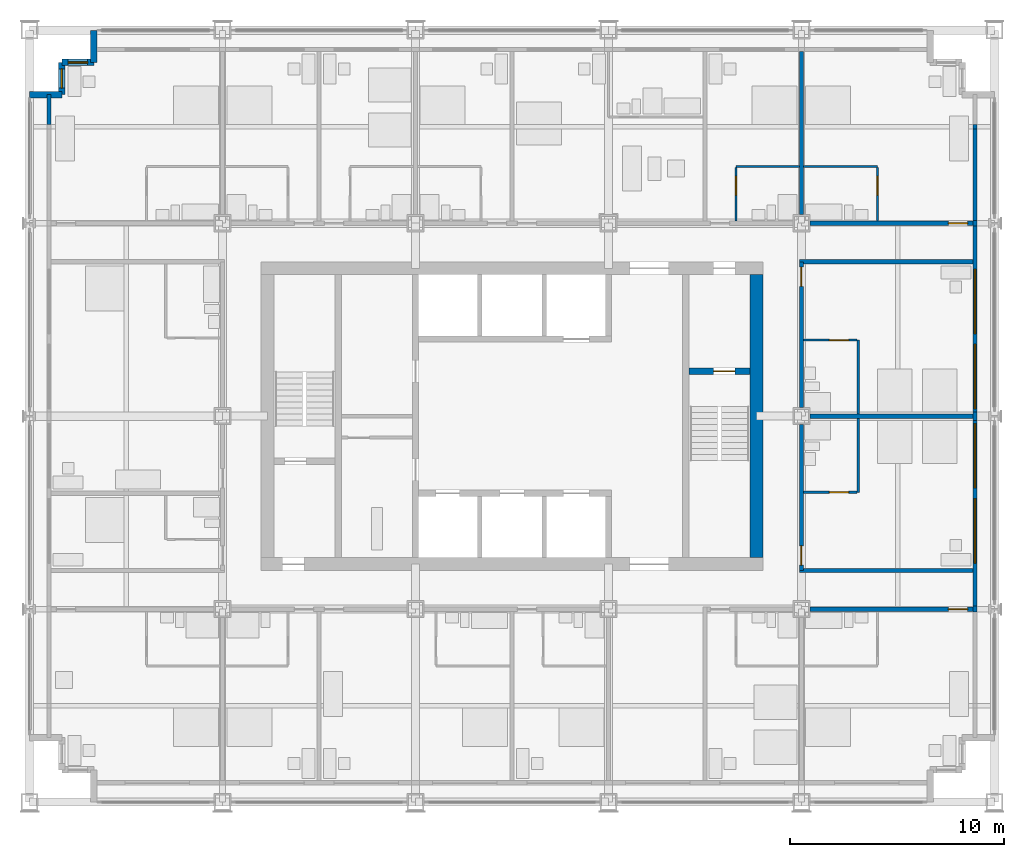
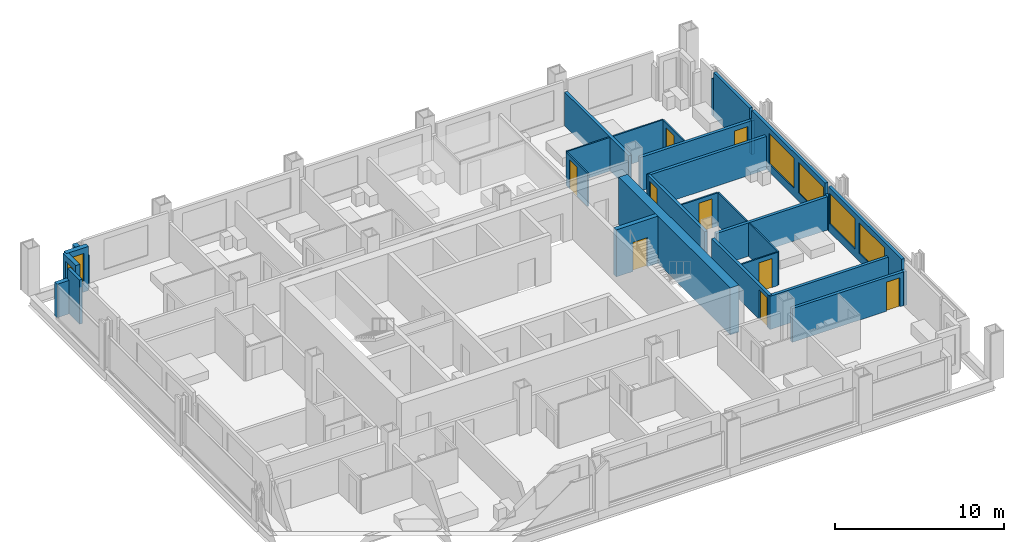
# One storey, part 12 of 16: 30 walls, 9 doors, 6 windows, 15 openings.
"""IFC4 building model written with IfcOpenShell, lengths in metres."""

from ifc_helpers import new_model, si_unit, direction, frame, frame_2d, origin, place, context, subcontext, project, spatial, rectangle, extrude, material, layer, layer_set, type_object, element, fill, save


model = new_model("IFC4")

# Units and contexts
model_context = context("Model", 3, precision=1e-05, world=origin(), true_north=direction((0.0, 1.0)))
body_context = subcontext(model_context, "Body", "Model", "MODEL_VIEW")
ifc_project = project(units=[si_unit("LENGTHUNIT", "METRE"), si_unit("AREAUNIT", "SQUARE_METRE"), si_unit("VOLUMEUNIT", "CUBIC_METRE"), si_unit("PLANEANGLEUNIT", "RADIAN"), si_unit("MASSUNIT", "GRAM", prefix="KILO")], contexts=[model_context])

# Site, building, storey
site_placement = place(None, origin())
site = spatial("IfcSite", under=ifc_project, at=site_placement, CompositionType="ELEMENT")
building_placement = place(site_placement, origin())
building = spatial("IfcBuilding", under=site, at=building_placement, Name="Loomwork Tower", CompositionType="ELEMENT")
storey_placement = place(building_placement, frame((0.0, 0.0, 101.0)))
storey = spatial("IfcBuildingStorey", under=building, at=storey_placement, Name="L26", CompositionType="ELEMENT", Elevation=101.0)

# Wall, opening, door
ifc_material_1 = material(Name="Concrete 14000 psi (97 MPa)", Category="concrete")
ifc_layer_1 = layer(ifc_material_1, 0.300048828125)
ifc_layer_set_1 = layer_set([ifc_layer_1], Name="Core shear wall 300")
wall_type_1 = type_object("IfcWallType", Name="Core shear wall 300", PredefinedType="SHEAR", material=ifc_layer_set_1)
wall_1_placement = place(storey_placement, frame((30.75, 20.10009765625, 0.0), z_axis=(0.0, 0.0, 1.0), x_axis=(1.0, 0.0, 0.0)))
wall_1 = element("IfcWall", 1, at=wall_1_placement, inside=storey, type_object=wall_type_1, Name="Stair B north wall L26", PredefinedType="SHEAR", context=body_context, shape_type="SweptSolid", body=[
    extrude(rectangle(XDim=2.85009765625, YDim=0.300048828125, at=frame_2d((1.425048828125, 0.0))), origin(), (0.0, 0.0, 1.0), 3.39990234375),
])
opening_1_placement = place(wall_1_placement, frame((1.14990234375, 0.0, 0.0)))
opening_1 = element("IfcOpeningElement", 2, at=opening_1_placement, cuts=wall_1, Name="Opening D4", PredefinedType="OPENING", context=body_context, shape_type="SweptSolid", body=[
    extrude(rectangle(XDim=1.0, YDim=2.10009765625, at=frame_2d((0.5, 1.050048828125))), frame((0.0, 0.159912109375, 0.0), z_axis=(0.0, -1.0, 0.0), x_axis=(1.0, 0.0, 0.0)), (0.0, 0.0, 1.0), 0.320068359375),
])
ifc_material_2 = material(Name="Hollow metal door and frame")
door_type_1 = type_object("IfcDoorType", Name="Stair door 1000", OperationType="SINGLE_SWING_RIGHT", PredefinedType="DOOR", material=ifc_material_2)
door_1_placement = place(opening_1_placement, frame((1.0, 0.0, 0.0), z_axis=(0.0, 0.0, 1.0), x_axis=(-1.0, 0.0, 0.0)))
door_1 = element("IfcDoor", 3, at=door_1_placement, inside=storey, type_object=door_type_1, Name="Stair B door", OperationType="SINGLE_SWING_LEFT", OverallHeight=2.10009765625, OverallWidth=1.0, PredefinedType="DOOR", context=body_context, shape_type="SweptSolid", body=[
    extrude(rectangle(XDim=1.0, YDim=2.10009765625, at=frame_2d((0.5, 1.050048828125))), frame((0.0, 0.02490234375, 0.0), z_axis=(0.0, -1.0, 0.0), x_axis=(1.0, 0.0, 0.0)), (0.0, 0.0, 1.0), 0.050048828125),
])
fill(opening_1, door_1)

# Wall
ifc_material_3 = material(Name="Concrete 14000 psi (97 MPa)", Category="concrete")
ifc_layer_2 = layer(ifc_material_3, 0.60009765625)
ifc_layer_set_2 = layer_set([ifc_layer_2], Name="Core shear wall 600")
wall_type_2 = type_object("IfcWallType", Name="Core shear wall 600", PredefinedType="SHEAR", material=ifc_layer_set_2)
wall_2_placement = place(storey_placement, frame((33.89990234375, 11.39990234375, 0.0), z_axis=(0.0, 0.0, 1.0), x_axis=(0.0, 1.0, 0.0)))
element("IfcWall", 4, at=wall_2_placement, inside=storey, type_object=wall_type_2, Name="Core wall east L26", PredefinedType="SHEAR", context=body_context, shape_type="SweptSolid", body=[
    extrude(rectangle(XDim=13.2001953125, YDim=0.60009765625, at=frame_2d((6.60009765625, 0.0))), origin(), (0.0, 0.0, 1.0), 3.39990234375),
])

# Wall, opening, door
ifc_material_4 = material(Name="Gypsum board on steel studs, one-hour", Category="steel")
ifc_layer_3 = layer(ifc_material_4, 0.199951171875)
ifc_layer_set_3 = layer_set([ifc_layer_3], Name="Corridor wall 200")
wall_type_3 = type_object("IfcWallType", Name="Corridor wall 200", PredefinedType="PARTITIONING", material=ifc_layer_set_3)
wall_3_placement = place(storey_placement, frame((36.39990234375, 9.0, 0.0), z_axis=(0.0, 0.0, 1.0), x_axis=(1.0, 0.0, 0.0)))
wall_3 = element("IfcWall", 5, at=wall_3_placement, inside=storey, type_object=wall_type_3, Name="South corridor wall 5", PredefinedType="PARTITIONING", context=body_context, shape_type="SweptSolid", body=[
    extrude(rectangle(XDim=7.60009765625, YDim=0.199951171875, at=frame_2d((3.800048828125, 0.0))), origin(), (0.0, 0.0, 1.0), 2.43798828125),
])
opening_2_placement = place(wall_3_placement, frame((6.449951171875, 0.0, 0.0)))
opening_2 = element("IfcOpeningElement", 6, at=opening_2_placement, cuts=wall_3, Name="Opening D1", PredefinedType="OPENING", context=body_context, shape_type="SweptSolid", body=[
    extrude(rectangle(XDim=0.89990234375, YDim=2.10009765625, at=frame_2d((0.449951171875, 1.050048828125))), frame((0.0, 0.10986328125, 0.0), z_axis=(0.0, -1.0, 0.0), x_axis=(1.0, 0.0, 0.0)), (0.0, 0.0, 1.0), 0.219970703125),
])
ifc_material_5 = material(Name="Hollow metal door and frame")
door_type_2 = type_object("IfcDoorType", Name="Guest room entry door 900", OperationType="SINGLE_SWING_LEFT", PredefinedType="DOOR", material=ifc_material_5)
door_2_placement = place(opening_2_placement, frame((0.89990234375, 0.0, 0.0), z_axis=(0.0, 0.0, 1.0), x_axis=(-1.0, 0.0, 0.0)))
door_2 = element("IfcDoor", 7, at=door_2_placement, inside=storey, type_object=door_type_2, Name="Guest room entry door L26 6", OperationType="SINGLE_SWING_LEFT", OverallHeight=2.10009765625, OverallWidth=0.89990234375, PredefinedType="DOOR", context=body_context, shape_type="SweptSolid", body=[
    extrude(rectangle(XDim=0.89990234375, YDim=2.10009765625, at=frame_2d((0.449951171875, 1.050048828125))), frame((0.0, 0.02490234375, 0.0), z_axis=(0.0, -1.0, 0.0), x_axis=(1.0, 0.0, 0.0)), (0.0, 0.0, 1.0), 0.050048828125),
])
fill(opening_2, door_2)

wall_4_placement = place(storey_placement, frame((36.39990234375, 27.0, 0.0), z_axis=(0.0, 0.0, 1.0), x_axis=(1.0, 0.0, 0.0)))
wall_4 = element("IfcWall", 8, at=wall_4_placement, inside=storey, type_object=wall_type_3, Name="North corridor wall 5", PredefinedType="PARTITIONING", context=body_context, shape_type="SweptSolid", body=[
    extrude(rectangle(XDim=7.60009765625, YDim=0.199951171875, at=frame_2d((3.800048828125, 0.0))), origin(), (0.0, 0.0, 1.0), 2.43798828125),
])
opening_3_placement = place(wall_4_placement, frame((6.449951171875, 0.0, 0.0)))
opening_3 = element("IfcOpeningElement", 9, at=opening_3_placement, cuts=wall_4, Name="Opening D1", PredefinedType="OPENING", context=body_context, shape_type="SweptSolid", body=[
    extrude(rectangle(XDim=0.89990234375, YDim=2.10009765625, at=frame_2d((0.449951171875, 1.050048828125))), frame((0.0, 0.10986328125, 0.0), z_axis=(0.0, -1.0, 0.0), x_axis=(1.0, 0.0, 0.0)), (0.0, 0.0, 1.0), 0.219970703125),
])
door_3_placement = place(opening_3_placement, origin())
door_3 = element("IfcDoor", 10, at=door_3_placement, inside=storey, type_object=door_type_2, Name="Guest room entry door L26 13", OperationType="SINGLE_SWING_RIGHT", OverallHeight=2.10009765625, OverallWidth=0.89990234375, PredefinedType="DOOR", context=body_context, shape_type="SweptSolid", body=[
    extrude(rectangle(XDim=0.89990234375, YDim=2.10009765625, at=frame_2d((0.449951171875, 1.050048828125))), frame((0.0, 0.02490234375, 0.0), z_axis=(0.0, -1.0, 0.0), x_axis=(1.0, 0.0, 0.0)), (0.0, 0.0, 1.0), 0.050048828125),
])
fill(opening_3, door_3)

wall_5_placement = place(storey_placement, frame((36.0, 10.800048828125, 0.0), z_axis=(0.0, 0.0, 1.0), x_axis=(0.0, 1.0, 0.0)))
wall_5 = element("IfcWall", 11, at=wall_5_placement, inside=storey, type_object=wall_type_3, Name="East corridor wall 1", PredefinedType="PARTITIONING", context=body_context, shape_type="SweptSolid", body=[
    extrude(rectangle(XDim=6.800048828125, YDim=0.199951171875, at=frame_2d((3.39990234375, 0.0))), origin(), (0.0, 0.0, 1.0), 2.405029296875),
])
opening_4_placement = place(wall_5_placement, frame((0.25, 0.0, 0.0)))
opening_4 = element("IfcOpeningElement", 12, at=opening_4_placement, cuts=wall_5, Name="Opening D1", PredefinedType="OPENING", context=body_context, shape_type="SweptSolid", body=[
    extrude(rectangle(XDim=0.89990234375, YDim=2.10009765625, at=frame_2d((0.449951171875, 1.050048828125))), frame((0.0, 0.10986328125, 0.0), z_axis=(0.0, -1.0, 0.0), x_axis=(1.0, 0.0, 0.0)), (0.0, 0.0, 1.0), 0.219970703125),
])
door_4_placement = place(opening_4_placement, frame((0.89990234375, 0.0, 0.0), z_axis=(0.0, 0.0, 1.0), x_axis=(-1.0, 0.0, 0.0)))
door_4 = element("IfcDoor", 13, at=door_4_placement, inside=storey, type_object=door_type_2, Name="Guest room entry door L26 16", OperationType="SINGLE_SWING_RIGHT", OverallHeight=2.10009765625, OverallWidth=0.89990234375, PredefinedType="DOOR", context=body_context, shape_type="SweptSolid", body=[
    extrude(rectangle(XDim=0.89990234375, YDim=2.10009765625, at=frame_2d((0.449951171875, 1.050048828125))), frame((0.0, 0.02490234375, 0.0), z_axis=(0.0, -1.0, 0.0), x_axis=(1.0, 0.0, 0.0)), (0.0, 0.0, 1.0), 0.050048828125),
])
fill(opening_4, door_4)

wall_6_placement = place(storey_placement, frame((36.0, 18.39990234375, 0.0), z_axis=(0.0, 0.0, 1.0), x_axis=(0.0, 1.0, 0.0)))
wall_6 = element("IfcWall", 14, at=wall_6_placement, inside=storey, type_object=wall_type_3, Name="East corridor wall 2", PredefinedType="PARTITIONING", context=body_context, shape_type="SweptSolid", body=[
    extrude(rectangle(XDim=6.800048828125, YDim=0.199951171875, at=frame_2d((3.39990234375, 0.0))), origin(), (0.0, 0.0, 1.0), 2.405029296875),
])
opening_5_placement = place(wall_6_placement, frame((5.64990234375, 0.0, 0.0)))
opening_5 = element("IfcOpeningElement", 15, at=opening_5_placement, cuts=wall_6, Name="Opening D1", PredefinedType="OPENING", context=body_context, shape_type="SweptSolid", body=[
    extrude(rectangle(XDim=0.89990234375, YDim=2.10009765625, at=frame_2d((0.449951171875, 1.050048828125))), frame((0.0, 0.10986328125, 0.0), z_axis=(0.0, -1.0, 0.0), x_axis=(1.0, 0.0, 0.0)), (0.0, 0.0, 1.0), 0.219970703125),
])
door_5_placement = place(opening_5_placement, frame((0.89990234375, 0.0, 0.0), z_axis=(0.0, 0.0, 1.0), x_axis=(-1.0, 0.0, 0.0)))
door_5 = element("IfcDoor", 16, at=door_5_placement, inside=storey, type_object=door_type_2, Name="Guest room entry door L26 17", OperationType="SINGLE_SWING_LEFT", OverallHeight=2.10009765625, OverallWidth=0.89990234375, PredefinedType="DOOR", context=body_context, shape_type="SweptSolid", body=[
    extrude(rectangle(XDim=0.89990234375, YDim=2.10009765625, at=frame_2d((0.449951171875, 1.050048828125))), frame((0.0, 0.02490234375, 0.0), z_axis=(0.0, -1.0, 0.0), x_axis=(1.0, 0.0, 0.0)), (0.0, 0.0, 1.0), 0.050048828125),
])
fill(opening_5, door_5)

# Walls
for number, where, z_axis, x_axis, name in (
    (17, (35.89990234375, 10.800048828125, 0.0), (0.0, 0.0, 1.0), (1.0, 0.0, 0.0), "East band end wall S"),
    (18, (35.89990234375, 25.199951171875, 0.0), (0.0, 0.0, 1.0), (1.0, 0.0, 0.0), "East band end wall N"),
):
    element("IfcWall", number, at=place(storey_placement, frame(where, z_axis=z_axis, x_axis=x_axis)), inside=storey, type_object=wall_type_3, Name=name, PredefinedType="PARTITIONING", context=body_context, shape_type="SweptSolid", body=[
        extrude(rectangle(XDim=8.10009765625, YDim=0.199951171875, at=frame_2d((4.050048828125, 0.0))), origin(), (0.0, 0.0, 1.0), 2.404052734375),
    ])
ifc_material_6 = material(Name="Cement board on steel studs", Category="steel")
ifc_layer_4 = layer(ifc_material_6, 0.10009765625)
ifc_layer_set_4 = layer_set([ifc_layer_4], Name="En-suite partition 100")
wall_type_4 = type_object("IfcWallType", Name="En-suite partition 100", PredefinedType="PARTITIONING", material=ifc_layer_set_4)
wall_7_placement = place(storey_placement, frame((32.949951171875, 29.64990234375, 0.0), z_axis=(0.0, 0.0, 1.0), x_axis=(1.0, 0.0, 0.0)))
element("IfcWall", 19, at=wall_7_placement, inside=storey, type_object=wall_type_4, Name="En-suite wall L26 room 12", PredefinedType="PARTITIONING", context=body_context, shape_type="SweptSolid", body=[
    extrude(rectangle(XDim=2.949951171875, YDim=0.10009765625, at=frame_2d((1.47509765625, 0.0))), origin(), (0.0, 0.0, 1.0), 2.43798828125),
])

# Wall, opening, door
wall_8_placement = place(storey_placement, frame((32.949951171875, 27.10009765625, 0.0), z_axis=(0.0, 0.0, 1.0), x_axis=(0.0, 1.0, 0.0)))
wall_8 = element("IfcWall", 20, at=wall_8_placement, inside=storey, type_object=wall_type_4, Name="En-suite side wall L26 room 12", PredefinedType="PARTITIONING", context=body_context, shape_type="SweptSolid", body=[
    extrude(rectangle(XDim=2.5, YDim=0.10009765625, at=frame_2d((1.25, 0.0))), origin(), (0.0, 0.0, 1.0), 2.404052734375),
])
opening_6_placement = place(wall_8_placement, frame((1.199951171875, 0.0, 0.0)))
opening_6 = element("IfcOpeningElement", 21, at=opening_6_placement, cuts=wall_8, Name="Opening D2", PredefinedType="OPENING", context=body_context, shape_type="SweptSolid", body=[
    extrude(rectangle(XDim=0.89990234375, YDim=2.10009765625, at=frame_2d((0.449951171875, 1.050048828125))), frame((0.0, 0.06005859375, 0.0), z_axis=(0.0, -1.0, 0.0), x_axis=(1.0, 0.0, 0.0)), (0.0, 0.0, 1.0), 0.1201171875),
])
ifc_material_7 = material(Name="Hollow metal door and frame")
door_type_3 = type_object("IfcDoorType", Name="En-suite door 900", OperationType="SINGLE_SWING_LEFT", PredefinedType="DOOR", material=ifc_material_7)
door_6_placement = place(opening_6_placement, frame((0.89990234375, 0.0, 0.0), z_axis=(0.0, 0.0, 1.0), x_axis=(-1.0, 0.0, 0.0)))
door_6 = element("IfcDoor", 22, at=door_6_placement, inside=storey, type_object=door_type_3, Name="En-suite door room 12", OperationType="SINGLE_SWING_LEFT", OverallHeight=2.10009765625, OverallWidth=0.89990234375, PredefinedType="DOOR", context=body_context, shape_type="SweptSolid", body=[
    extrude(rectangle(XDim=0.89990234375, YDim=2.10009765625, at=frame_2d((0.449951171875, 1.050048828125))), frame((0.0, 0.02490234375, 0.0), z_axis=(0.0, -1.0, 0.0), x_axis=(1.0, 0.0, 0.0)), (0.0, 0.0, 1.0), 0.050048828125),
])
fill(opening_6, door_6)

# Wall
wall_9_placement = place(storey_placement, frame((36.10009765625, 29.64990234375, 0.0), z_axis=(0.0, 0.0, 1.0), x_axis=(1.0, 0.0, 0.0)))
element("IfcWall", 23, at=wall_9_placement, inside=storey, type_object=wall_type_4, Name="En-suite wall L26 room 13", PredefinedType="PARTITIONING", context=body_context, shape_type="SweptSolid", body=[
    extrude(rectangle(XDim=3.449951171875, YDim=0.10009765625, at=frame_2d((1.72509765625, 0.0))), origin(), (0.0, 0.0, 1.0), 2.43798828125),
])

# Wall, opening, door
wall_10_placement = place(storey_placement, frame((39.550048828125, 27.10009765625, 0.0), z_axis=(0.0, 0.0, 1.0), x_axis=(0.0, 1.0, 0.0)))
wall_10 = element("IfcWall", 24, at=wall_10_placement, inside=storey, type_object=wall_type_4, Name="En-suite side wall L26 room 13", PredefinedType="PARTITIONING", context=body_context, shape_type="SweptSolid", body=[
    extrude(rectangle(XDim=2.5, YDim=0.10009765625, at=frame_2d((1.25, 0.0))), origin(), (0.0, 0.0, 1.0), 2.43798828125),
])
opening_7_placement = place(wall_10_placement, frame((1.199951171875, 0.0, 0.0)))
opening_7 = element("IfcOpeningElement", 25, at=opening_7_placement, cuts=wall_10, Name="Opening D2", PredefinedType="OPENING", context=body_context, shape_type="SweptSolid", body=[
    extrude(rectangle(XDim=0.89990234375, YDim=2.10009765625, at=frame_2d((0.449951171875, 1.050048828125))), frame((0.0, 0.06005859375, 0.0), z_axis=(0.0, -1.0, 0.0), x_axis=(1.0, 0.0, 0.0)), (0.0, 0.0, 1.0), 0.1201171875),
])
door_7_placement = place(opening_7_placement, origin())
door_7 = element("IfcDoor", 26, at=door_7_placement, inside=storey, type_object=door_type_3, Name="En-suite door room 13", OperationType="SINGLE_SWING_RIGHT", OverallHeight=2.10009765625, OverallWidth=0.89990234375, PredefinedType="DOOR", context=body_context, shape_type="SweptSolid", body=[
    extrude(rectangle(XDim=0.89990234375, YDim=2.10009765625, at=frame_2d((0.449951171875, 1.050048828125))), frame((0.0, 0.02490234375, 0.0), z_axis=(0.0, -1.0, 0.0), x_axis=(1.0, 0.0, 0.0)), (0.0, 0.0, 1.0), 0.050048828125),
])
fill(opening_7, door_7)

# Wall
wall_11_placement = place(storey_placement, frame((38.64990234375, 14.449951171875, 0.0), z_axis=(0.0, 0.0, 1.0), x_axis=(0.0, 1.0, 0.0)))
element("IfcWall", 27, at=wall_11_placement, inside=storey, type_object=wall_type_4, Name="En-suite wall L26 room 16", PredefinedType="PARTITIONING", context=body_context, shape_type="SweptSolid", body=[
    extrude(rectangle(XDim=3.449951171875, YDim=0.10009765625, at=frame_2d((1.72509765625, 0.0))), origin(), (0.0, 0.0, 1.0), 2.404052734375),
])

# Wall, opening, door
wall_12_placement = place(storey_placement, frame((36.10009765625, 14.449951171875, 0.0), z_axis=(0.0, 0.0, 1.0), x_axis=(1.0, 0.0, 0.0)))
wall_12 = element("IfcWall", 28, at=wall_12_placement, inside=storey, type_object=wall_type_4, Name="En-suite side wall L26 room 16", PredefinedType="PARTITIONING", context=body_context, shape_type="SweptSolid", body=[
    extrude(rectangle(XDim=2.5, YDim=0.10009765625, at=frame_2d((1.25, 0.0))), origin(), (0.0, 0.0, 1.0), 2.404052734375),
])
opening_8_placement = place(wall_12_placement, frame((1.199951171875, 0.0, 0.0)))
opening_8 = element("IfcOpeningElement", 29, at=opening_8_placement, cuts=wall_12, Name="Opening D2", PredefinedType="OPENING", context=body_context, shape_type="SweptSolid", body=[
    extrude(rectangle(XDim=0.89990234375, YDim=2.10009765625, at=frame_2d((0.449951171875, 1.050048828125))), frame((0.0, 0.06005859375, 0.0), z_axis=(0.0, -1.0, 0.0), x_axis=(1.0, 0.0, 0.0)), (0.0, 0.0, 1.0), 0.1201171875),
])
door_8_placement = place(opening_8_placement, origin())
door_8 = element("IfcDoor", 30, at=door_8_placement, inside=storey, type_object=door_type_3, Name="En-suite door room 16", OperationType="SINGLE_SWING_RIGHT", OverallHeight=2.10009765625, OverallWidth=0.89990234375, PredefinedType="DOOR", context=body_context, shape_type="SweptSolid", body=[
    extrude(rectangle(XDim=0.89990234375, YDim=2.10009765625, at=frame_2d((0.449951171875, 1.050048828125))), frame((0.0, 0.02490234375, 0.0), z_axis=(0.0, -1.0, 0.0), x_axis=(1.0, 0.0, 0.0)), (0.0, 0.0, 1.0), 0.050048828125),
])
fill(opening_8, door_8)

# Wall
wall_13_placement = place(storey_placement, frame((38.64990234375, 18.10009765625, 0.0), z_axis=(0.0, 0.0, 1.0), x_axis=(0.0, 1.0, 0.0)))
element("IfcWall", 31, at=wall_13_placement, inside=storey, type_object=wall_type_4, Name="En-suite wall L26 room 17", PredefinedType="PARTITIONING", context=body_context, shape_type="SweptSolid", body=[
    extrude(rectangle(XDim=3.449951171875, YDim=0.10009765625, at=frame_2d((1.72509765625, 0.0))), origin(), (0.0, 0.0, 1.0), 2.404052734375),
])

# Wall, opening, door
wall_14_placement = place(storey_placement, frame((36.10009765625, 21.550048828125, 0.0), z_axis=(0.0, 0.0, 1.0), x_axis=(1.0, 0.0, 0.0)))
wall_14 = element("IfcWall", 32, at=wall_14_placement, inside=storey, type_object=wall_type_4, Name="En-suite side wall L26 room 17", PredefinedType="PARTITIONING", context=body_context, shape_type="SweptSolid", body=[
    extrude(rectangle(XDim=2.5, YDim=0.10009765625, at=frame_2d((1.25, 0.0))), origin(), (0.0, 0.0, 1.0), 2.404052734375),
])
opening_9_placement = place(wall_14_placement, frame((1.199951171875, 0.0, 0.0)))
opening_9 = element("IfcOpeningElement", 33, at=opening_9_placement, cuts=wall_14, Name="Opening D2", PredefinedType="OPENING", context=body_context, shape_type="SweptSolid", body=[
    extrude(rectangle(XDim=0.89990234375, YDim=2.10009765625, at=frame_2d((0.449951171875, 1.050048828125))), frame((0.0, 0.06005859375, 0.0), z_axis=(0.0, -1.0, 0.0), x_axis=(1.0, 0.0, 0.0)), (0.0, 0.0, 1.0), 0.1201171875),
])
door_9_placement = place(opening_9_placement, frame((0.89990234375, 0.0, 0.0), z_axis=(0.0, 0.0, 1.0), x_axis=(-1.0, 0.0, 0.0)))
door_9 = element("IfcDoor", 34, at=door_9_placement, inside=storey, type_object=door_type_3, Name="En-suite door room 17", OperationType="SINGLE_SWING_LEFT", OverallHeight=2.10009765625, OverallWidth=0.89990234375, PredefinedType="DOOR", context=body_context, shape_type="SweptSolid", body=[
    extrude(rectangle(XDim=0.89990234375, YDim=2.10009765625, at=frame_2d((0.449951171875, 1.050048828125))), frame((0.0, 0.02490234375, 0.0), z_axis=(0.0, -1.0, 0.0), x_axis=(1.0, 0.0, 0.0)), (0.0, 0.0, 1.0), 0.050048828125),
])
fill(opening_9, door_9)

# Walls
ifc_material_8 = material(Name="Gypsum board on steel studs, acoustic", Category="steel")
ifc_layer_5 = layer(ifc_material_8, 0.199951171875)
ifc_layer_set_5 = layer_set([ifc_layer_5], Name="Guest room party wall 200")
wall_type_5 = type_object("IfcWallType", Name="Guest room party wall 200", PredefinedType="PARTITIONING", material=ifc_layer_set_5)
wall_15_placement = place(storey_placement, frame((36.0, 27.39990234375, 0.0), z_axis=(0.0, 0.0, 1.0), x_axis=(0.0, 1.0, 0.0)))
element("IfcWall", 35, at=wall_15_placement, inside=storey, type_object=wall_type_5, Name="Guest room party wall N 36", PredefinedType="PARTITIONING", context=body_context, shape_type="SweptSolid", body=[
    extrude(rectangle(XDim=7.60009765625, YDim=0.199951171875, at=frame_2d((3.800048828125, 0.0))), origin(), (0.0, 0.0, 1.0), 2.43798828125),
])
wall_16_placement = place(storey_placement, frame((36.39990234375, 18.0, 0.0), z_axis=(0.0, 0.0, 1.0), x_axis=(1.0, 0.0, 0.0)))
element("IfcWall", 36, at=wall_16_placement, inside=storey, type_object=wall_type_5, Name="Guest room party wall E 18", PredefinedType="PARTITIONING", context=body_context, shape_type="SweptSolid", body=[
    extrude(rectangle(XDim=7.60009765625, YDim=0.199951171875, at=frame_2d((3.800048828125, 0.0))), origin(), (0.0, 0.0, 1.0), 2.405029296875),
])
ifc_material_9 = material(Name="Insulated steel stud wall with gypsum lining", Category="steel")
ifc_layer_6 = layer(ifc_material_9, 0.199951171875)
ifc_layer_set_6 = layer_set([ifc_layer_6], Name="Inner skin wall 200")
wall_type_6 = type_object("IfcWallType", Name="Inner skin wall 200", PredefinedType="SOLIDWALL", material=ifc_layer_set_6)
wall_17_placement = place(storey_placement, frame((0.89990234375, 31.607421875, 0.0), z_axis=(0.0, 0.0, 1.0), x_axis=(0.0, 1.0, 0.0)))
element("IfcWall", 37, at=wall_17_placement, inside=storey, type_object=wall_type_6, Name="Inner skin wall W bay 11", PredefinedType="SOLIDWALL", context=body_context, shape_type="SweptSolid", body=[
    extrude(rectangle(XDim=1.392578125, YDim=0.199951171875, at=frame_2d((0.6962890625, 0.0))), origin(), (0.0, 0.0, 1.0), 3.199951171875),
])
wall_18_placement = place(storey_placement, frame((44.10009765625, 8.86474609375, 0.0), z_axis=(0.0, 0.0, 1.0), x_axis=(0.0, 1.0, 0.0)))
element("IfcWall", 38, at=wall_18_placement, inside=storey, type_object=wall_type_6, Name="Inner skin wall E bay 4", PredefinedType="SOLIDWALL", context=body_context, shape_type="SweptSolid", body=[
    extrude(rectangle(XDim=0.2705078125, YDim=0.199951171875, at=frame_2d((0.13525390625, 0.0))), origin(), (0.0, 0.0, 1.0), 2.43798828125),
])

# Wall, openings, windows
wall_19_placement = place(storey_placement, frame((44.10009765625, 9.13525390625, 0.0), z_axis=(0.0, 0.0, 1.0), x_axis=(0.0, 1.0, 0.0)))
wall_19 = element("IfcWall", 39, at=wall_19_placement, inside=storey, type_object=wall_type_6, Name="Inner skin wall E bay 5", PredefinedType="SOLIDWALL", context=body_context, shape_type="SweptSolid", body=[
    extrude(rectangle(XDim=8.6708984375, YDim=0.199951171875, at=frame_2d((4.33544921875, 0.0))), origin(), (0.0, 0.0, 1.0), 3.199951171875),
])
opening_10_placement = place(wall_19_placement, frame((2.0146484375, 0.0, 0.60009765625)))
opening_10 = element("IfcOpeningElement", 40, at=opening_10_placement, cuts=wall_19, Name="Opening CH1", PredefinedType="OPENING", context=body_context, shape_type="SweptSolid", body=[
    extrude(rectangle(XDim=3.0, YDim=2.199951171875, at=frame_2d((1.5, 1.10009765625))), frame((0.0, 0.10986328125, 0.0), z_axis=(0.0, -1.0, 0.0), x_axis=(1.0, 0.0, 0.0)), (0.0, 0.0, 1.0), 0.219970703125),
])
opening_11_placement = place(wall_19_placement, frame((5.5146484375, 0.0, 0.60009765625)))
opening_11 = element("IfcOpeningElement", 41, at=opening_11_placement, cuts=wall_19, Name="Opening CH1", PredefinedType="OPENING", context=body_context, shape_type="SweptSolid", body=[
    extrude(rectangle(XDim=3.0, YDim=2.199951171875, at=frame_2d((1.5, 1.10009765625))), frame((0.0, 0.10986328125, 0.0), z_axis=(0.0, -1.0, 0.0), x_axis=(1.0, 0.0, 0.0)), (0.0, 0.0, 1.0), 0.219970703125),
])
ifc_material_10 = material(Name="Aluminium frame with clear insulated glass", Category="aluminium")
window_type_1 = type_object("IfcWindowType", Name="Chicago window 3000", PartitioningType="TRIPLE_PANEL_VERTICAL", PredefinedType="WINDOW", material=ifc_material_10)
window_1_placement = place(opening_10_placement, origin())
window_1 = element("IfcWindow", 42, at=window_1_placement, inside=storey, type_object=window_type_1, Name="Chicago window L26 bay 13", OverallHeight=2.199951171875, OverallWidth=3.0, PartitioningType="TRIPLE_PANEL_VERTICAL", PredefinedType="WINDOW", context=body_context, shape_type="SweptSolid", body=[
    extrude(rectangle(XDim=3.0, YDim=2.199951171875, at=frame_2d((1.5, 1.10009765625))), frame((0.0, 0.030029296875, 0.0), z_axis=(0.0, -1.0, 0.0), x_axis=(1.0, 0.0, 0.0)), (0.0, 0.0, 1.0), 0.06005859375),
])
fill(opening_10, window_1)
window_2_placement = place(opening_11_placement, origin())
window_2 = element("IfcWindow", 43, at=window_2_placement, inside=storey, type_object=window_type_1, Name="Chicago window L26 bay 13", OverallHeight=2.199951171875, OverallWidth=3.0, PartitioningType="TRIPLE_PANEL_VERTICAL", PredefinedType="WINDOW", context=body_context, shape_type="SweptSolid", body=[
    extrude(rectangle(XDim=3.0, YDim=2.199951171875, at=frame_2d((1.5, 1.10009765625))), frame((0.0, 0.030029296875, 0.0), z_axis=(0.0, -1.0, 0.0), x_axis=(1.0, 0.0, 0.0)), (0.0, 0.0, 1.0), 0.06005859375),
])
fill(opening_11, window_2)

# Wall
wall_20_placement = place(storey_placement, frame((44.10009765625, 17.80615234375, 0.0), z_axis=(0.0, 0.0, 1.0), x_axis=(0.0, 1.0, 0.0)))
element("IfcWall", 44, at=wall_20_placement, inside=storey, type_object=wall_type_6, Name="Inner skin wall E bay 6", PredefinedType="SOLIDWALL", context=body_context, shape_type="SweptSolid", body=[
    extrude(rectangle(XDim=0.3876953125, YDim=0.199951171875, at=frame_2d((0.19384765625, 0.0))), origin(), (0.0, 0.0, 1.0), 2.404052734375),
])

# Wall, openings, windows
wall_21_placement = place(storey_placement, frame((44.10009765625, 18.19384765625, 0.0), z_axis=(0.0, 0.0, 1.0), x_axis=(0.0, 1.0, 0.0)))
wall_21 = element("IfcWall", 45, at=wall_21_placement, inside=storey, type_object=wall_type_6, Name="Inner skin wall E bay 7", PredefinedType="SOLIDWALL", context=body_context, shape_type="SweptSolid", body=[
    extrude(rectangle(XDim=8.6708984375, YDim=0.199951171875, at=frame_2d((4.33544921875, 0.0))), origin(), (0.0, 0.0, 1.0), 3.199951171875),
])
opening_12_placement = place(wall_21_placement, frame((0.15625, 0.0, 0.60009765625)))
opening_12 = element("IfcOpeningElement", 46, at=opening_12_placement, cuts=wall_21, Name="Opening CH1", PredefinedType="OPENING", context=body_context, shape_type="SweptSolid", body=[
    extrude(rectangle(XDim=3.0, YDim=2.199951171875, at=frame_2d((1.5, 1.10009765625))), frame((0.0, 0.10986328125, 0.0), z_axis=(0.0, -1.0, 0.0), x_axis=(1.0, 0.0, 0.0)), (0.0, 0.0, 1.0), 0.219970703125),
])
opening_13_placement = place(wall_21_placement, frame((3.65625, 0.0, 0.60009765625)))
opening_13 = element("IfcOpeningElement", 47, at=opening_13_placement, cuts=wall_21, Name="Opening CH1", PredefinedType="OPENING", context=body_context, shape_type="SweptSolid", body=[
    extrude(rectangle(XDim=3.0, YDim=2.199951171875, at=frame_2d((1.5, 1.10009765625))), frame((0.0, 0.10986328125, 0.0), z_axis=(0.0, -1.0, 0.0), x_axis=(1.0, 0.0, 0.0)), (0.0, 0.0, 1.0), 0.219970703125),
])
window_3_placement = place(opening_12_placement, origin())
window_3 = element("IfcWindow", 48, at=window_3_placement, inside=storey, type_object=window_type_1, Name="Chicago window L26 bay 14", OverallHeight=2.199951171875, OverallWidth=3.0, PartitioningType="TRIPLE_PANEL_VERTICAL", PredefinedType="WINDOW", context=body_context, shape_type="SweptSolid", body=[
    extrude(rectangle(XDim=3.0, YDim=2.199951171875, at=frame_2d((1.5, 1.10009765625))), frame((0.0, 0.030029296875, 0.0), z_axis=(0.0, -1.0, 0.0), x_axis=(1.0, 0.0, 0.0)), (0.0, 0.0, 1.0), 0.06005859375),
])
fill(opening_12, window_3)
window_4_placement = place(opening_13_placement, origin())
window_4 = element("IfcWindow", 49, at=window_4_placement, inside=storey, type_object=window_type_1, Name="Chicago window L26 bay 14", OverallHeight=2.199951171875, OverallWidth=3.0, PartitioningType="TRIPLE_PANEL_VERTICAL", PredefinedType="WINDOW", context=body_context, shape_type="SweptSolid", body=[
    extrude(rectangle(XDim=3.0, YDim=2.199951171875, at=frame_2d((1.5, 1.10009765625))), frame((0.0, 0.030029296875, 0.0), z_axis=(0.0, -1.0, 0.0), x_axis=(1.0, 0.0, 0.0)), (0.0, 0.0, 1.0), 0.06005859375),
])
fill(opening_13, window_4)

# Walls
wall_22_placement = place(storey_placement, frame((44.10009765625, 26.86474609375, 0.0), z_axis=(0.0, 0.0, 1.0), x_axis=(0.0, 1.0, 0.0)))
element("IfcWall", 50, at=wall_22_placement, inside=storey, type_object=wall_type_6, Name="Inner skin wall E bay 8", PredefinedType="SOLIDWALL", context=body_context, shape_type="SweptSolid", body=[
    extrude(rectangle(XDim=0.2705078125, YDim=0.199951171875, at=frame_2d((0.13525390625, 0.0))), origin(), (0.0, 0.0, 1.0), 2.43798828125),
])
wall_23_placement = place(storey_placement, frame((44.10009765625, 27.13525390625, 0.0), z_axis=(0.0, 0.0, 1.0), x_axis=(0.0, 1.0, 0.0)))
element("IfcWall", 51, at=wall_23_placement, inside=storey, type_object=wall_type_6, Name="Inner skin wall E bay 9", PredefinedType="SOLIDWALL", context=body_context, shape_type="SweptSolid", body=[
    extrude(rectangle(XDim=4.25732421875, YDim=0.199951171875, at=frame_2d((2.128662109375, 0.0))), origin(), (0.0, 0.0, 1.0), 3.199951171875),
])
wall_24_placement = place(storey_placement, frame((44.10009765625, 31.392578125, 0.0), z_axis=(0.0, 0.0, 1.0), x_axis=(0.0, 1.0, 0.0)))
element("IfcWall", 52, at=wall_24_placement, inside=storey, type_object=wall_type_6, Name="Inner skin wall E bay 10", PredefinedType="SOLIDWALL", context=body_context, shape_type="SweptSolid", body=[
    extrude(rectangle(XDim=0.21484375, YDim=0.199951171875, at=frame_2d((0.107421875, 0.0))), origin(), (0.0, 0.0, 1.0), 2.660888671875),
])
ifc_material_11 = material(Name="Limestone on concrete masonry", Category="masonry")
ifc_layer_7 = layer(ifc_material_11, 0.300048828125)
ifc_layer_set_7 = layer_set([ifc_layer_7], Name="Limestone corner wall 300")
wall_type_7 = type_object("IfcWallType", Name="Limestone corner wall 300", PredefinedType="SOLIDWALL", material=ifc_layer_set_7)
wall_25_placement = place(storey_placement, frame((3.0, 36.0, 0.0), z_axis=(0.0, 0.0, 1.0), x_axis=(0.0, -1.0, 0.0)))
element("IfcWall", 53, at=wall_25_placement, inside=storey, type_object=wall_type_7, Name="Stone corner wall NW 1", PredefinedType="SOLIDWALL", context=body_context, shape_type="SweptSolid", body=[
    extrude(rectangle(XDim=1.5, YDim=0.300048828125, at=frame_2d((0.75, 0.0))), origin(), (0.0, 0.0, 1.0), 2.419921875),
])

# Wall, opening, window
wall_26_placement = place(storey_placement, frame((3.0, 34.5, 0.0), z_axis=(0.0, 0.0, 1.0), x_axis=(-1.0, 0.0, 0.0)))
wall_26 = element("IfcWall", 54, at=wall_26_placement, inside=storey, type_object=wall_type_7, Name="Stone corner wall NW 2", PredefinedType="SOLIDWALL", context=body_context, shape_type="SweptSolid", body=[
    extrude(rectangle(XDim=1.5, YDim=0.300048828125, at=frame_2d((0.75, 0.0))), origin(), (0.0, 0.0, 1.0), 3.199951171875),
])
opening_14_placement = place(wall_26_placement, frame((0.300048828125, 0.0, 0.60009765625)))
opening_14 = element("IfcOpeningElement", 55, at=opening_14_placement, cuts=wall_26, Name="Opening CH2", PredefinedType="OPENING", context=body_context, shape_type="SweptSolid", body=[
    extrude(rectangle(XDim=0.89990234375, YDim=2.199951171875, at=frame_2d((0.449951171875, 1.10009765625))), frame((0.0, 0.159912109375, 0.0), z_axis=(0.0, -1.0, 0.0), x_axis=(1.0, 0.0, 0.0)), (0.0, 0.0, 1.0), 0.320068359375),
])
ifc_material_12 = material(Name="Aluminium frame with clear insulated glass", Category="aluminium")
window_type_2 = type_object("IfcWindowType", Name="Corner window 900", PartitioningType="SINGLE_PANEL", PredefinedType="WINDOW", material=ifc_material_12)
window_5_placement = place(opening_14_placement, origin())
window_5 = element("IfcWindow", 56, at=window_5_placement, inside=storey, type_object=window_type_2, Name="Corner window NW", OverallHeight=2.199951171875, OverallWidth=0.89990234375, PartitioningType="SINGLE_PANEL", PredefinedType="WINDOW", context=body_context, shape_type="SweptSolid", body=[
    extrude(rectangle(XDim=0.89990234375, YDim=2.199951171875, at=frame_2d((0.449951171875, 1.10009765625))), frame((0.0, 0.030029296875, 0.0), z_axis=(0.0, -1.0, 0.0), x_axis=(1.0, 0.0, 0.0)), (0.0, 0.0, 1.0), 0.06005859375),
])
fill(opening_14, window_5)

wall_27_placement = place(storey_placement, frame((1.5, 34.5, 0.0), z_axis=(0.0, 0.0, 1.0), x_axis=(0.0, -1.0, 0.0)))
wall_27 = element("IfcWall", 57, at=wall_27_placement, inside=storey, type_object=wall_type_7, Name="Stone corner wall NW 3", PredefinedType="SOLIDWALL", context=body_context, shape_type="SweptSolid", body=[
    extrude(rectangle(XDim=1.5, YDim=0.300048828125, at=frame_2d((0.75, 0.0))), origin(), (0.0, 0.0, 1.0), 3.199951171875),
])
opening_15_placement = place(wall_27_placement, frame((0.300048828125, 0.0, 0.60009765625)))
opening_15 = element("IfcOpeningElement", 58, at=opening_15_placement, cuts=wall_27, Name="Opening CH2", PredefinedType="OPENING", context=body_context, shape_type="SweptSolid", body=[
    extrude(rectangle(XDim=0.89990234375, YDim=2.199951171875, at=frame_2d((0.449951171875, 1.10009765625))), frame((0.0, 0.159912109375, 0.0), z_axis=(0.0, -1.0, 0.0), x_axis=(1.0, 0.0, 0.0)), (0.0, 0.0, 1.0), 0.320068359375),
])
window_6_placement = place(opening_15_placement, origin())
window_6 = element("IfcWindow", 59, at=window_6_placement, inside=storey, type_object=window_type_2, Name="Corner window NW", OverallHeight=2.199951171875, OverallWidth=0.89990234375, PartitioningType="SINGLE_PANEL", PredefinedType="WINDOW", context=body_context, shape_type="SweptSolid", body=[
    extrude(rectangle(XDim=0.89990234375, YDim=2.199951171875, at=frame_2d((0.449951171875, 1.10009765625))), frame((0.0, 0.030029296875, 0.0), z_axis=(0.0, -1.0, 0.0), x_axis=(1.0, 0.0, 0.0)), (0.0, 0.0, 1.0), 0.06005859375),
])
fill(opening_15, window_6)

# Wall
wall_28_placement = place(storey_placement, frame((1.5, 33.0, 0.0), z_axis=(0.0, 0.0, 1.0), x_axis=(-1.0, 0.0, 0.0)))
element("IfcWall", 60, at=wall_28_placement, inside=storey, type_object=wall_type_7, Name="Stone corner wall NW 4", PredefinedType="SOLIDWALL", context=body_context, shape_type="SweptSolid", body=[
    extrude(rectangle(XDim=1.5, YDim=0.300048828125, at=frame_2d((0.75, 0.0))), origin(), (0.0, 0.0, 1.0), 2.419921875),
])

save(model, "model.ifc")
